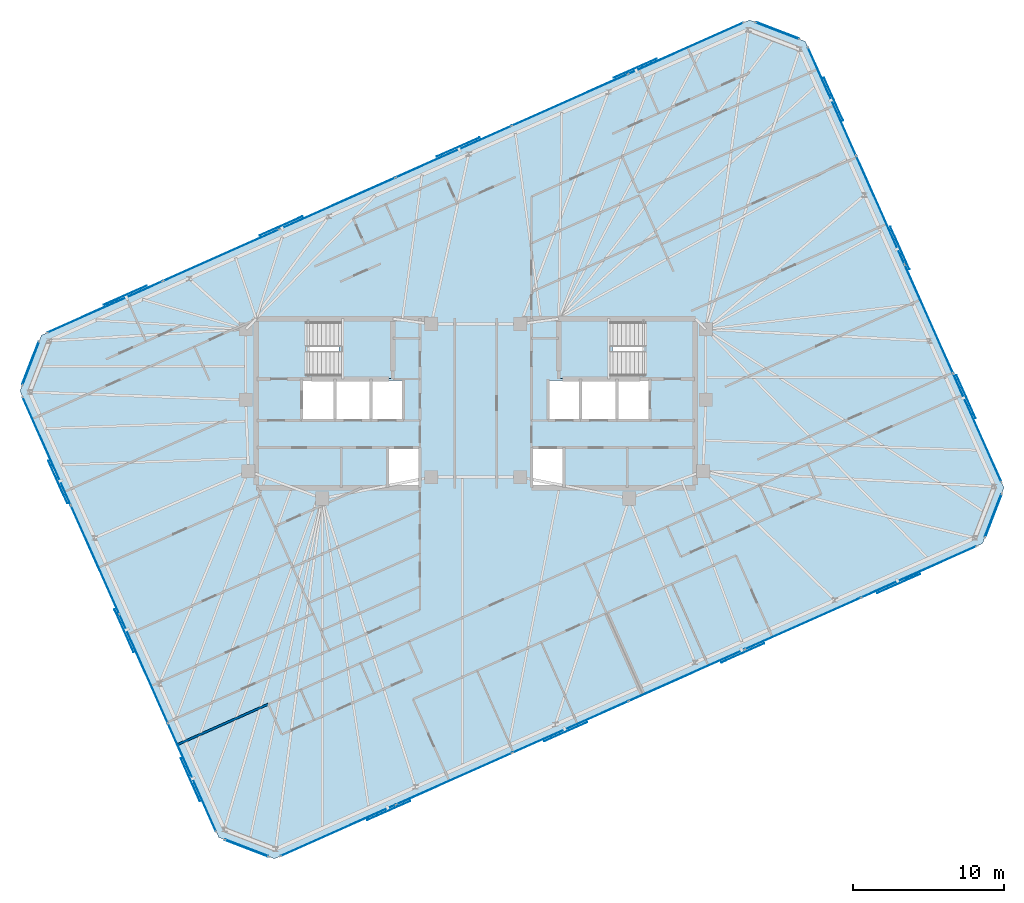
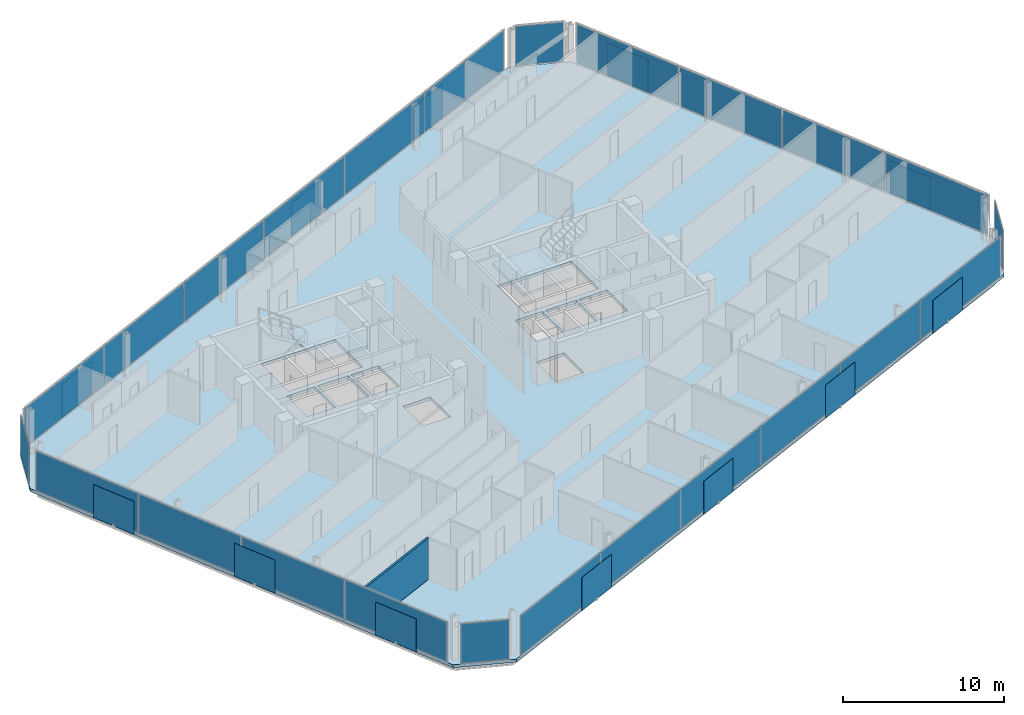
# One storey, part 12 of 19: 38 plates, 3 slabs, 1 wall, 10 elements without a shape of their own.
"""IFC4 building model written with IfcOpenShell, lengths in metres."""

from ifc_helpers import new_model, si_unit, direction, frame, frame_2d, origin, origin_2d, place, context, subcontext, project, spatial, polyline, rectangle, outline, extrude, material, layer, layer_set, type_object, element, aggregate, save


model = new_model("IFC4")

# Units and contexts
model_context = context("Model", 3, precision=1e-05, world=origin(), true_north=direction((0.0, 1.0)))
body_context = subcontext(model_context, "Body", "Model", "MODEL_VIEW")
ifc_project = project(units=[si_unit("LENGTHUNIT", "METRE"), si_unit("AREAUNIT", "SQUARE_METRE"), si_unit("VOLUMEUNIT", "CUBIC_METRE"), si_unit("PLANEANGLEUNIT", "RADIAN"), si_unit("MASSUNIT", "GRAM", prefix="KILO")], contexts=[model_context])

# Site, building, storey
site_placement = place(None, origin())
site = spatial("IfcSite", under=ifc_project, at=site_placement, CompositionType="ELEMENT")
building_placement = place(site_placement, origin())
building = spatial("IfcBuilding", under=site, at=building_placement, Name="Menara Jurai Vektor", CompositionType="ELEMENT")
storey_placement = place(building_placement, frame((0.0, 0.0, 281.89990234375)))
storey = spatial("IfcBuildingStorey", under=building, at=storey_placement, Name="L75", CompositionType="ELEMENT", Elevation=281.89990234375)

# Curtain wall, plates
ifc_material_1 = material(Name="Anodised Pale Aluminium & Low-E Double Glazing", Category="aluminium")
curtain_wall_type = type_object("IfcCurtainWallType", Name="CW-BLK5", PredefinedType="NOTDEFINED", material=ifc_material_1)
curtain_wall_1_placement = place(storey_placement, origin())
curtain_wall_1 = element("IfcCurtainWall", 1, at=curtain_wall_1_placement, inside=storey, type_object=curtain_wall_type, Name="Unitised Curtain Wall L75 F01", PredefinedType="NOTDEFINED")
ifc_material_2 = material(Name="Low-E Solar-Control Double Glazed Unit", Category="glass")
ifc_layer_1 = layer(ifc_material_2, 0.028076171875)
ifc_layer_set_1 = layer_set([ifc_layer_1], Name="Low-E Solar-Control Double Glazed Unit")
plate_type_1 = type_object("IfcPlateType", Name="CW-BLK5-PNL", PredefinedType="CURTAIN_PANEL", material=ifc_layer_set_1)
plate_1_placement = place(storey_placement, frame((-9.130615234375, -28.331787109375, 0.074951171875), z_axis=(0.0, 0.0, 1.0), x_axis=(0.913545967158, 0.406735498684, 0.0)))
plate_1 = element("IfcPlate", 2, at=plate_1_placement, type_object=plate_type_1, Name="CW-05 panel 1.1", PredefinedType="CURTAIN_PANEL", context=body_context, shape_type="SweptSolid", body=[
    extrude(rectangle(XDim=8.327392578125, YDim=0.028076171875, at=origin_2d()), origin(), (0.0, 0.0, 1.0), 2.97509765625),
])
plate_2_placement = place(storey_placement, frame((-1.4375, -24.90673828125, 0.074951171875), z_axis=(0.0, 0.0, 1.0), x_axis=(0.913545967158, 0.406735498684, 0.0)))
plate_2 = element("IfcPlate", 3, at=plate_2_placement, type_object=plate_type_1, Name="CW-05 panel 2.1", PredefinedType="CURTAIN_PANEL", context=body_context, shape_type="SweptSolid", body=[
    extrude(rectangle(XDim=8.364990234375, YDim=0.028076171875, at=origin_2d()), origin(), (0.0, 0.0, 1.0), 2.97509765625),
])
plate_3_placement = place(storey_placement, frame((6.27294921875, -21.473876953125, 0.074951171875), z_axis=(0.0, 0.0, 1.0), x_axis=(0.913545967158, 0.406735498684, 0.0)))
plate_3 = element("IfcPlate", 4, at=plate_3_placement, type_object=plate_type_1, Name="CW-05 panel 3.1", PredefinedType="CURTAIN_PANEL", context=body_context, shape_type="SweptSolid", body=[
    extrude(rectangle(XDim=8.364990234375, YDim=0.028076171875, at=origin_2d()), origin(), (0.0, 0.0, 1.0), 2.97509765625),
])
plate_4_placement = place(storey_placement, frame((13.983154296875, -18.041015625, 0.074951171875), z_axis=(0.0, 0.0, 1.0), x_axis=(0.913545967158, 0.406735498684, 0.0)))
plate_4 = element("IfcPlate", 5, at=plate_4_placement, type_object=plate_type_1, Name="CW-05 panel 4.1", PredefinedType="CURTAIN_PANEL", context=body_context, shape_type="SweptSolid", body=[
    extrude(rectangle(XDim=8.364990234375, YDim=0.028076171875, at=origin_2d()), origin(), (0.0, 0.0, 1.0), 2.97509765625),
])
plate_5_placement = place(storey_placement, frame((21.693603515625, -14.608154296875, 0.074951171875), z_axis=(0.0, 0.0, 1.0), x_axis=(0.913545967158, 0.406735498684, 0.0)))
plate_5 = element("IfcPlate", 6, at=plate_5_placement, type_object=plate_type_1, Name="CW-05 panel 5.1", PredefinedType="CURTAIN_PANEL", context=body_context, shape_type="SweptSolid", body=[
    extrude(rectangle(XDim=8.364990234375, YDim=0.028076171875, at=origin_2d()), origin(), (0.0, 0.0, 1.0), 2.97509765625),
])
plate_6_placement = place(storey_placement, frame((29.38671875, -11.182861328125, 0.074951171875), z_axis=(0.0, 0.0, 1.0), x_axis=(0.913545967158, 0.406735498684, 0.0)))
plate_6 = element("IfcPlate", 7, at=plate_6_placement, type_object=plate_type_1, Name="CW-05 panel 6.1", PredefinedType="CURTAIN_PANEL", context=body_context, shape_type="SweptSolid", body=[
    extrude(rectangle(XDim=8.327392578125, YDim=0.028076171875, at=origin_2d()), origin(), (0.0, 0.0, 1.0), 2.97509765625),
])
aggregate(curtain_wall_1, [plate_1, plate_2, plate_3, plate_4, plate_5, plate_6])

curtain_wall_2_placement = place(storey_placement, origin())
curtain_wall_2 = element("IfcCurtainWall", 8, at=curtain_wall_2_placement, inside=storey, type_object=curtain_wall_type, Name="Unitised Curtain Wall L75 F03", PredefinedType="NOTDEFINED")
plate_7_placement = place(storey_placement, frame((33.25439453125, -1.630126953125, 0.074951171875), z_axis=(0.0, 0.0, 1.0), x_axis=(-0.406735138086, 0.913546127706, 0.0)))
plate_7 = element("IfcPlate", 9, at=plate_7_placement, type_object=plate_type_1, Name="CW-05 panel 1.1", PredefinedType="CURTAIN_PANEL", context=body_context, shape_type="SweptSolid", body=[
    extrude(rectangle(XDim=7.797607421875, YDim=0.028076171875, at=origin_2d()), origin(), (0.0, 0.0, 1.0), 2.97509765625),
])
plate_8_placement = place(storey_placement, frame((30.044677734375, 5.578857421875, 0.074951171875), z_axis=(0.0, 0.0, 1.0), x_axis=(-0.406735138086, 0.913546127706, 0.0)))
plate_8 = element("IfcPlate", 10, at=plate_8_placement, type_object=plate_type_1, Name="CW-05 panel 2.1", PredefinedType="CURTAIN_PANEL", context=body_context, shape_type="SweptSolid", body=[
    extrude(rectangle(XDim=7.8349609375, YDim=0.028076171875, at=origin_2d()), origin(), (0.0, 0.0, 1.0), 2.97509765625),
])
plate_9_placement = place(storey_placement, frame((26.827392578125, 12.80517578125, 0.074951171875), z_axis=(0.0, 0.0, 1.0), x_axis=(-0.406735138086, 0.913546127706, 0.0)))
plate_9 = element("IfcPlate", 11, at=plate_9_placement, type_object=plate_type_1, Name="CW-05 panel 3.1", PredefinedType="CURTAIN_PANEL", context=body_context, shape_type="SweptSolid", body=[
    extrude(rectangle(XDim=7.8349609375, YDim=0.028076171875, at=origin_2d()), origin(), (0.0, 0.0, 1.0), 2.97509765625),
])
plate_10_placement = place(storey_placement, frame((23.61767578125, 20.01416015625, 0.074951171875), z_axis=(0.0, 0.0, 1.0), x_axis=(-0.406735138086, 0.913546127706, 0.0)))
plate_10 = element("IfcPlate", 12, at=plate_10_placement, type_object=plate_type_1, Name="CW-05 panel 4.1", PredefinedType="CURTAIN_PANEL", context=body_context, shape_type="SweptSolid", body=[
    extrude(rectangle(XDim=7.797607421875, YDim=0.028076171875, at=origin_2d()), origin(), (0.0, 0.0, 1.0), 2.97509765625),
])
aggregate(curtain_wall_2, [plate_7, plate_8, plate_9, plate_10])

curtain_wall_3_placement = place(storey_placement, origin())
curtain_wall_3 = element("IfcCurtainWall", 13, at=curtain_wall_3_placement, inside=storey, type_object=curtain_wall_type, Name="Unitised Curtain Wall L75 F05", PredefinedType="NOTDEFINED")
plate_11_placement = place(storey_placement, frame((13.9306640625, 23.53173828125, 0.074951171875), z_axis=(0.0, 0.0, 1.0), x_axis=(-0.913545967158, -0.406735498684, 0.0)))
plate_11 = element("IfcPlate", 14, at=plate_11_placement, type_object=plate_type_1, Name="CW-05 panel 1.1", PredefinedType="CURTAIN_PANEL", context=body_context, shape_type="SweptSolid", body=[
    extrude(rectangle(XDim=8.327392578125, YDim=0.028076171875, at=origin_2d()), origin(), (0.0, 0.0, 1.0), 2.97509765625),
])
plate_12_placement = place(storey_placement, frame((6.237548828125, 20.106689453125, 0.074951171875), z_axis=(0.0, 0.0, 1.0), x_axis=(-0.913545967158, -0.406735498684, 0.0)))
plate_12 = element("IfcPlate", 15, at=plate_12_placement, type_object=plate_type_1, Name="CW-05 panel 2.1", PredefinedType="CURTAIN_PANEL", context=body_context, shape_type="SweptSolid", body=[
    extrude(rectangle(XDim=8.364990234375, YDim=0.028076171875, at=origin_2d()), origin(), (0.0, 0.0, 1.0), 2.97509765625),
])
plate_13_placement = place(storey_placement, frame((-1.472900390625, 16.673828125, 0.074951171875), z_axis=(0.0, 0.0, 1.0), x_axis=(-0.913545967158, -0.406735498684, 0.0)))
plate_13 = element("IfcPlate", 16, at=plate_13_placement, type_object=plate_type_1, Name="CW-05 panel 3.1", PredefinedType="CURTAIN_PANEL", context=body_context, shape_type="SweptSolid", body=[
    extrude(rectangle(XDim=8.364990234375, YDim=0.028076171875, at=origin_2d()), origin(), (0.0, 0.0, 1.0), 2.97509765625),
])
plate_14_placement = place(storey_placement, frame((-9.18310546875, 13.240966796875, 0.074951171875), z_axis=(0.0, 0.0, 1.0), x_axis=(-0.913545967158, -0.406735498684, 0.0)))
plate_14 = element("IfcPlate", 17, at=plate_14_placement, type_object=plate_type_1, Name="CW-05 panel 4.1", PredefinedType="CURTAIN_PANEL", context=body_context, shape_type="SweptSolid", body=[
    extrude(rectangle(XDim=8.364990234375, YDim=0.028076171875, at=origin_2d()), origin(), (0.0, 0.0, 1.0), 2.97509765625),
])
plate_15_placement = place(storey_placement, frame((-16.8935546875, 9.80810546875, 0.074951171875), z_axis=(0.0, 0.0, 1.0), x_axis=(-0.913545967158, -0.406735498684, 0.0)))
plate_15 = element("IfcPlate", 18, at=plate_15_placement, type_object=plate_type_1, Name="CW-05 panel 5.1", PredefinedType="CURTAIN_PANEL", context=body_context, shape_type="SweptSolid", body=[
    extrude(rectangle(XDim=8.364990234375, YDim=0.028076171875, at=origin_2d()), origin(), (0.0, 0.0, 1.0), 2.97509765625),
])
plate_16_placement = place(storey_placement, frame((-24.586669921875, 6.3828125, 0.074951171875), z_axis=(0.0, 0.0, 1.0), x_axis=(-0.913545967158, -0.406735498684, 0.0)))
plate_16 = element("IfcPlate", 19, at=plate_16_placement, type_object=plate_type_1, Name="CW-05 panel 6.1", PredefinedType="CURTAIN_PANEL", context=body_context, shape_type="SweptSolid", body=[
    extrude(rectangle(XDim=8.327392578125, YDim=0.028076171875, at=origin_2d()), origin(), (0.0, 0.0, 1.0), 2.97509765625),
])
aggregate(curtain_wall_3, [plate_11, plate_12, plate_13, plate_14, plate_15, plate_16])

curtain_wall_4_placement = place(storey_placement, origin())
curtain_wall_4 = element("IfcCurtainWall", 20, at=curtain_wall_4_placement, inside=storey, type_object=curtain_wall_type, Name="Unitised Curtain Wall L75 F07", PredefinedType="NOTDEFINED")
plate_17_placement = place(storey_placement, frame((-28.454345703125, -3.169921875, 0.074951171875), z_axis=(0.0, 0.0, 1.0), x_axis=(0.406735138086, -0.913546127706, 0.0)))
plate_17 = element("IfcPlate", 21, at=plate_17_placement, type_object=plate_type_1, Name="CW-05 panel 1.1", PredefinedType="CURTAIN_PANEL", context=body_context, shape_type="SweptSolid", body=[
    extrude(rectangle(XDim=7.797607421875, YDim=0.028076171875, at=origin_2d()), origin(), (0.0, 0.0, 1.0), 2.97509765625),
])
plate_18_placement = place(storey_placement, frame((-25.24462890625, -10.37890625, 0.074951171875), z_axis=(0.0, 0.0, 1.0), x_axis=(0.406735138086, -0.913546127706, 0.0)))
plate_18 = element("IfcPlate", 22, at=plate_18_placement, type_object=plate_type_1, Name="CW-05 panel 2.1", PredefinedType="CURTAIN_PANEL", context=body_context, shape_type="SweptSolid", body=[
    extrude(rectangle(XDim=7.8349609375, YDim=0.028076171875, at=origin_2d()), origin(), (0.0, 0.0, 1.0), 2.97509765625),
])
plate_19_placement = place(storey_placement, frame((-22.02734375, -17.60498046875, 0.074951171875), z_axis=(0.0, 0.0, 1.0), x_axis=(0.406735138086, -0.913546127706, 0.0)))
plate_19 = element("IfcPlate", 23, at=plate_19_placement, type_object=plate_type_1, Name="CW-05 panel 3.1", PredefinedType="CURTAIN_PANEL", context=body_context, shape_type="SweptSolid", body=[
    extrude(rectangle(XDim=7.8349609375, YDim=0.028076171875, at=origin_2d()), origin(), (0.0, 0.0, 1.0), 2.97509765625),
])
plate_20_placement = place(storey_placement, frame((-18.81787109375, -24.814208984375, 0.074951171875), z_axis=(0.0, 0.0, 1.0), x_axis=(0.406735138086, -0.913546127706, 0.0)))
plate_20 = element("IfcPlate", 24, at=plate_20_placement, type_object=plate_type_1, Name="CW-05 panel 4.1", PredefinedType="CURTAIN_PANEL", context=body_context, shape_type="SweptSolid", body=[
    extrude(rectangle(XDim=7.797607421875, YDim=0.028076171875, at=origin_2d()), origin(), (0.0, 0.0, 1.0), 2.97509765625),
])
aggregate(curtain_wall_4, [plate_17, plate_18, plate_19, plate_20])

# Curtain wall, plate
curtain_wall_5_placement = place(storey_placement, origin())
curtain_wall_5 = element("IfcCurtainWall", 25, at=curtain_wall_5_placement, inside=storey, type_object=curtain_wall_type, Name="Unitised Curtain Wall L75 F02", PredefinedType="NOTDEFINED")
ifc_material_3 = material(Name="Insulated Pale Aluminium Spandrel Panel", Category="aluminium")
ifc_layer_2 = layer(ifc_material_3, 0.06005859375)
ifc_layer_set_2 = layer_set([ifc_layer_2], Name="Insulated Pale Aluminium Spandrel Panel")
plate_type_2 = type_object("IfcPlateType", Name="CW-PNL-SP", PredefinedType="CURTAIN_PANEL", material=ifc_layer_set_2)
plate_21_placement = place(storey_placement, frame((34.315673828125, -7.455810546875, 0.074951171875), z_axis=(0.0, 0.0, 1.0), x_axis=(0.358373766287, 0.933578193639, 0.0)))
plate_21 = element("IfcPlate", 26, at=plate_21_placement, type_object=plate_type_2, Name="CW-05 panel 1.1", PredefinedType="CURTAIN_PANEL", context=body_context, shape_type="SweptSolid", body=[
    extrude(rectangle(XDim=3.0498046875, YDim=0.06005859375, at=origin_2d()), origin(), (0.0, 0.0, 1.0), 2.97509765625),
])
aggregate(curtain_wall_5, [plate_21])

curtain_wall_6_placement = place(storey_placement, origin())
curtain_wall_6 = element("IfcCurtainWall", 27, at=curtain_wall_6_placement, inside=storey, type_object=curtain_wall_type, Name="Unitised Curtain Wall L75 F04", PredefinedType="NOTDEFINED")
plate_22_placement = place(storey_placement, frame((19.99853515625, 24.700927734375, 0.074951171875), z_axis=(0.0, 0.0, 1.0), x_axis=(-0.933578193639, 0.358373766287, 0.0)))
plate_22 = element("IfcPlate", 28, at=plate_22_placement, type_object=plate_type_2, Name="CW-05 panel 1.1", PredefinedType="CURTAIN_PANEL", context=body_context, shape_type="SweptSolid", body=[
    extrude(rectangle(XDim=3.0498046875, YDim=0.06005859375, at=origin_2d()), origin(), (0.0, 0.0, 1.0), 2.97509765625),
])
aggregate(curtain_wall_6, [plate_22])

curtain_wall_7_placement = place(storey_placement, origin())
curtain_wall_7 = element("IfcCurtainWall", 29, at=curtain_wall_7_placement, inside=storey, type_object=curtain_wall_type, Name="Unitised Curtain Wall L75 F06", PredefinedType="NOTDEFINED")
plate_23_placement = place(storey_placement, frame((-29.515625, 2.65576171875, 0.074951171875), z_axis=(0.0, 0.0, 1.0), x_axis=(-0.358373766287, -0.933578193639, 0.0)))
plate_23 = element("IfcPlate", 30, at=plate_23_placement, type_object=plate_type_2, Name="CW-05 panel 1.1", PredefinedType="CURTAIN_PANEL", context=body_context, shape_type="SweptSolid", body=[
    extrude(rectangle(XDim=3.0498046875, YDim=0.06005859375, at=origin_2d()), origin(), (0.0, 0.0, 1.0), 2.97509765625),
])
aggregate(curtain_wall_7, [plate_23])

curtain_wall_8_placement = place(storey_placement, origin())
curtain_wall_8 = element("IfcCurtainWall", 31, at=curtain_wall_8_placement, inside=storey, type_object=curtain_wall_type, Name="Unitised Curtain Wall L75 F08", PredefinedType="NOTDEFINED")
plate_24_placement = place(storey_placement, frame((-15.198486328125, -29.5009765625, 0.074951171875), z_axis=(0.0, 0.0, 1.0), x_axis=(0.933578193639, -0.358373766287, 0.0)))
plate_24 = element("IfcPlate", 32, at=plate_24_placement, type_object=plate_type_2, Name="CW-05 panel 1.1", PredefinedType="CURTAIN_PANEL", context=body_context, shape_type="SweptSolid", body=[
    extrude(rectangle(XDim=3.0498046875, YDim=0.06005859375, at=origin_2d()), origin(), (0.0, 0.0, 1.0), 2.97509765625),
])
aggregate(curtain_wall_8, [plate_24])

# Plates
ifc_material_4 = material(Name="Anodised Pale Aluminium Perforated Screen", Category="aluminium")
ifc_layer_3 = layer(ifc_material_4, 0.02197265625)
ifc_layer_set_3 = layer_set([ifc_layer_3], Name="Anodised Pale Aluminium Perforated Screen")
plate_type_3 = type_object("IfcPlateType", Name="ENV-PLT-SCREEN-HI", PredefinedType="USERDEFINED", material=ifc_layer_set_3)
for number, where, z_axis, x_axis, name in (
    (33, (-5.77197265625, -27.01171875, -0.0498046875), (0.0, 0.0, 1.0), (0.913545457643, 0.406736643076, 0.0), "Perforated Pale-Metal Solar Screen L75-S01"),
    (34, (5.967041015625, -21.78515625, -0.0498046875), (0.0, 0.0, 1.0), (0.913545457643, 0.406736643076, 0.0), "Perforated Pale-Metal Solar Screen L75-S02"),
    (35, (17.7060546875, -16.55859375, -0.0498046875), (0.0, 0.0, 1.0), (0.913545457643, 0.406736643076, 0.0), "Perforated Pale-Metal Solar Screen L75-S03"),
    (36, (28.036376953125, -11.958984375, -0.0498046875), (0.0, 0.0, 1.0), (0.913545457643, 0.406736643076, 0.0), "Perforated Pale-Metal Solar Screen L75-S04"),
    (37, (32.513671875, 0.4267578125, -0.0498046875), (0.0, 0.0, 1.0), (-0.406736643076, 0.913545457643, 0.0), "Perforated Pale-Metal Solar Screen L75-S05"),
    (38, (28.12109375, 10.29296875, -0.0498046875), (0.0, 0.0, 1.0), (-0.406736643076, 0.913545457643, 0.0), "Perforated Pale-Metal Solar Screen L75-S06"),
    (39, (23.728271484375, 20.1591796875, -0.0498046875), (0.0, 0.0, 1.0), (-0.406736643076, 0.913545457643, 0.0), "Perforated Pale-Metal Solar Screen L75-S07"),
    (40, (10.572021484375, 22.211669921875, -0.0498046875), (0.0, 0.0, 1.0), (-0.913545457643, -0.406736643076, 0.0), "Perforated Pale-Metal Solar Screen L75-S08"),
    (41, (-1.1669921875, 16.985107421875, -0.0498046875), (0.0, 0.0, 1.0), (-0.913545457643, -0.406736643076, 0.0), "Perforated Pale-Metal Solar Screen L75-S09"),
    (42, (-12.906005859375, 11.758544921875, -0.0498046875), (0.0, 0.0, 1.0), (-0.913545457643, -0.406736643076, 0.0), "Perforated Pale-Metal Solar Screen L75-S10"),
    (43, (-23.236328125, 7.1591796875, -0.0498046875), (0.0, 0.0, 1.0), (-0.913545457643, -0.406736643076, 0.0), "Perforated Pale-Metal Solar Screen L75-S11"),
    (44, (-27.713623046875, -5.226806640625, -0.0498046875), (0.0, 0.0, 1.0), (0.406736643076, -0.913545457643, 0.0), "Perforated Pale-Metal Solar Screen L75-S12"),
    (45, (-23.321044921875, -15.093017578125, -0.0498046875), (0.0, 0.0, 1.0), (0.406736643076, -0.913545457643, 0.0), "Perforated Pale-Metal Solar Screen L75-S13"),
    (46, (-18.92822265625, -24.959228515625, -0.0498046875), (0.0, 0.0, 1.0), (0.406736643076, -0.913545457643, 0.0), "Perforated Pale-Metal Solar Screen L75-S14"),
):
    element("IfcPlate", number, at=place(storey_placement, frame(where, z_axis=z_axis, x_axis=x_axis)), inside=storey, type_object=plate_type_3, Name=name, ObjectType="SCREEN", PredefinedType="USERDEFINED", context=body_context, shape_type="SweptSolid", body=[
        extrude(rectangle(XDim=3.10009765625, YDim=0.02197265625, at=origin_2d()), origin(), (0.0, 0.0, 1.0), 2.5),
    ])

# Stair, slab
ifc_material_5 = material(Name="Concrete C40/50", Category="concrete")
stair_type = type_object("IfcStairType", Name="STAIR-DOGLEG-1500", PredefinedType="HALF_TURN_STAIR", material=ifc_material_5)
stair_1_placement = place(storey_placement, origin())
stair_1 = element("IfcStair", 47, at=stair_1_placement, inside=storey, type_object=stair_type, Name="Protected Exit Stair ST1 L75", PredefinedType="HALF_TURN_STAIR")
ifc_layer_4 = layer(ifc_material_5, 0.199951171875)
ifc_layer_set_4 = layer_set([ifc_layer_4], Name="Concrete C40/50")
slab_type_1 = type_object("IfcSlabType", Name="STAIR-LANDING-200", PredefinedType="LANDING", material=ifc_layer_set_4)
slab_1_placement = place(storey_placement, frame((0.0, 0.0, 1.47509765625)))
slab_1 = element("IfcSlab", 48, at=slab_1_placement, type_object=slab_type_1, Name="ST1 landing 1", PredefinedType="LANDING", context=body_context, shape_type="SweptSolid", body=[
    extrude(outline(polyline([(-9.080078125, 1.64990234375), (-5.550048828125, 1.64990234375), (-5.550048828125, 5.550048828125), (-9.080078125, 5.550048828125), (-9.080078125, 1.64990234375)])), origin(), (0.0, 0.0, 1.0), 0.199951171875),
])
aggregate(stair_1, [slab_1])

stair_2_placement = place(storey_placement, origin())
stair_2 = element("IfcStair", 49, at=stair_2_placement, inside=storey, type_object=stair_type, Name="Protected Exit Stair ST2 L75", PredefinedType="HALF_TURN_STAIR")
slab_2_placement = place(storey_placement, frame((0.0, 0.0, 1.47509765625)))
slab_2 = element("IfcSlab", 50, at=slab_2_placement, type_object=slab_type_1, Name="ST2 landing 1", PredefinedType="LANDING", context=body_context, shape_type="SweptSolid", body=[
    extrude(outline(polyline([(5.550048828125, 1.64990234375), (9.080078125, 1.64990234375), (9.080078125, 5.550048828125), (5.550048828125, 5.550048828125), (5.550048828125, 1.64990234375)])), origin(), (0.0, 0.0, 1.0), 0.199951171875),
])
aggregate(stair_2, [slab_2])

# Slab
ifc_layer_5 = layer(ifc_material_5, 0.22509765625)
ifc_layer_set_5 = layer_set([ifc_layer_5], Name="Concrete C40/50")
slab_type_2 = type_object("IfcSlabType", Name="STR-SLAB-TYP200", PredefinedType="FLOOR", material=ifc_layer_set_5)
slab_3_placement = place(storey_placement, frame((0.0, 0.0, -0.224853515625)))
element("IfcSlab", 51, at=slab_3_placement, inside=storey, type_object=slab_type_2, Name="Composite Floor Slab L75", PredefinedType="FLOOR", context=body_context, shape_type="SweptSolid", body=[
    extrude(outline(polyline([(-13.35009765625, -30.21044921875), (33.606201171875, -9.30419921875), (35.025146484375, -5.607421875), (21.846923828125, 23.991455078125), (18.150146484375, 25.410400390625), (-28.80615234375, 4.504150390625), (-30.22509765625, 0.807373046875), (-17.046875, -28.79150390625), (-13.35009765625, -30.21044921875)]), holes=[polyline([(-11.10009765625, 1.89990234375), (-11.10009765625, 5.300048828125), (-5.800048828125, 5.300048828125), (-5.800048828125, 1.89990234375), (-11.10009765625, 1.89990234375)]), polyline([(5.800048828125, 1.89990234375), (5.800048828125, 5.300048828125), (11.10009765625, 5.300048828125), (11.10009765625, 1.89990234375), (5.800048828125, 1.89990234375)]), polyline([(-11.449951171875, -1.050048828125), (-11.449951171875, 1.5), (-9.449951171875, 1.5), (-9.449951171875, -1.050048828125), (-11.449951171875, -1.050048828125)]), polyline([(9.449951171875, -1.050048828125), (9.449951171875, 1.5), (11.449951171875, 1.5), (11.449951171875, -1.050048828125), (9.449951171875, -1.050048828125)]), polyline([(-5.760009765625, -5.5), (-5.760009765625, -3.050048828125), (-3.800048828125, -3.050048828125), (-3.800048828125, -5.5), (-5.760009765625, -5.5)]), polyline([(-6.85009765625, -1.050048828125), (-6.85009765625, 1.5), (-4.889892578125, 1.5), (-4.889892578125, -1.050048828125), (-6.85009765625, -1.050048828125)]), polyline([(3.800048828125, -5.5), (3.800048828125, -3.050048828125), (5.760009765625, -3.050048828125), (5.760009765625, -5.5), (3.800048828125, -5.5)]), polyline([(4.889892578125, -1.050048828125), (4.889892578125, 1.5), (6.85009765625, 1.5), (6.85009765625, -1.050048828125), (4.889892578125, -1.050048828125)]), polyline([(-9.25, -1.050048828125), (-9.25, 1.5), (-7.050048828125, 1.5), (-7.050048828125, -1.050048828125), (-9.25, -1.050048828125)]), polyline([(7.050048828125, -1.050048828125), (7.050048828125, 1.5), (9.25, 1.5), (9.25, -1.050048828125), (7.050048828125, -1.050048828125)])]), origin(), (0.0, 0.0, 1.0), 0.224853515625),
])

# Wall
ifc_material_6 = material(Name="Gypsum Fireboard Partition", Category="gypsum")
ifc_layer_6 = layer(ifc_material_6, 0.14990234375)
ifc_layer_set_6 = layer_set([ifc_layer_6], Name="Gypsum Fireboard Partition")
wall_type = type_object("IfcWallType", Name="INT-WALL-CORR-150", PredefinedType="PARTITIONING", material=ifc_layer_set_6)
wall_placement = place(storey_placement, frame((-19.786376953125, -22.638671875, 0.0), z_axis=(0.0, 0.0, 1.0), x_axis=(0.913548717067, 0.406729322211, 0.0)))
element("IfcWall", 52, at=wall_placement, inside=storey, type_object=wall_type, Name="Interior Wall IW-150 L75", PredefinedType="PARTITIONING", context=body_context, shape_type="SweptSolid", body=[
    extrude(rectangle(XDim=6.59326171875, YDim=0.14990234375, at=frame_2d((3.296630859375, 0.0))), origin(), (0.0, 0.0, 1.0), 3.125),
])

save(model, "model.ifc")
